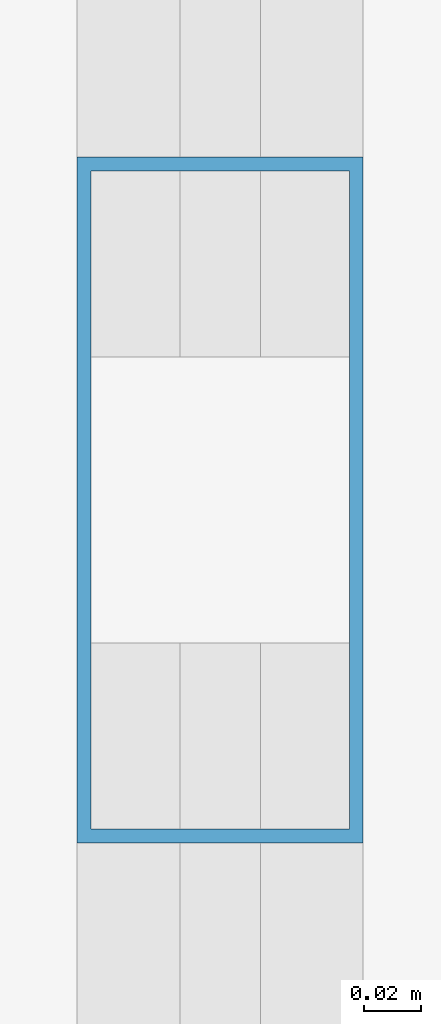
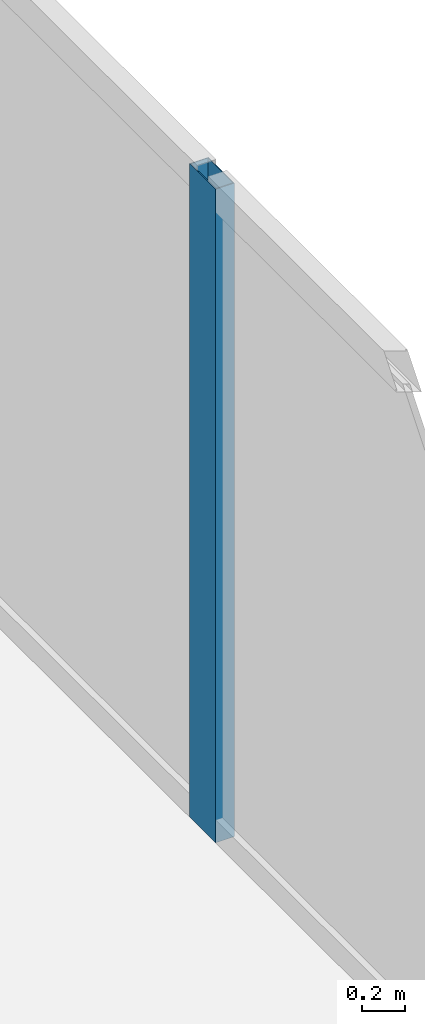
# One storey, part 9 of 26: 1 member, 1 element without a shape of its own.
"""IFC4 building model written with IfcOpenShell, lengths in metres."""

from ifc_helpers import new_model, si_unit, direction, frame, origin, origin_2d, place, context, subcontext, project, spatial, hollow_rectangle, extrude, material, layer, layer_set, material_profile, profile_set, type_object, element, aggregate, save


model = new_model("IFC4")

# Units and contexts
model_context = context("Model", 3, precision=1e-05, world=origin(), true_north=direction((0.0, 1.0)))
body_context = subcontext(model_context, "Body", "Model", "MODEL_VIEW")
ifc_project = project(units=[si_unit("LENGTHUNIT", "METRE"), si_unit("AREAUNIT", "SQUARE_METRE"), si_unit("VOLUMEUNIT", "CUBIC_METRE"), si_unit("PLANEANGLEUNIT", "RADIAN"), si_unit("MASSUNIT", "GRAM", prefix="KILO")], contexts=[model_context])

# Site, building, storey
site_placement = place(None, origin())
site = spatial("IfcSite", under=ifc_project, at=site_placement, CompositionType="ELEMENT")
building_placement = place(site_placement, origin())
building = spatial("IfcBuilding", under=site, at=building_placement, Name="Khorvyn Point Tower", CompositionType="ELEMENT")
storey_placement = place(building_placement, frame((0.0, 0.0, 183.60009765625)))
storey = spatial("IfcBuildingStorey", under=building, at=storey_placement, Name="L45", CompositionType="ELEMENT", Elevation=183.60009765625)

# Curtain wall, member
ifc_material_1 = material(Name="Anodised aluminium 6063-T6 and laminated Low-E glass", Category="aluminium")
ifc_layer = layer(ifc_material_1, 0.18994140625)
ifc_layer_set = layer_set([ifc_layer], Name="Stick-Built Acoustic Curtain Wall CW-SYS-03")
curtain_wall_type = type_object("IfcCurtainWallType", Name="Stick-Built Acoustic Curtain Wall CW-SYS-03", PredefinedType="NOTDEFINED", material=ifc_layer_set)
curtain_wall_placement = place(storey_placement, origin())
curtain_wall = element("IfcCurtainWall", 1, at=curtain_wall_placement, inside=storey, type_object=curtain_wall_type, Name="Curtain Wall", PredefinedType="NOTDEFINED")
ifc_material_2 = material(Name="Anodised aluminium 6063-T6", Category="aluminium")
ifc_material_profile = material_profile(ifc_material_2, hollow_rectangle(XDim=0.10009765625, YDim=0.239990234375, WallThickness=0.0048828125, at=origin_2d()))
ifc_profile_set = profile_set([ifc_material_profile], Name="Anodised aluminium 6063-T6 ALU-MUL-100x240")
member_type = type_object("IfcMemberType", Name="Anodised Aluminium 6063-T6 Mullion ALU-MUL-100x240", PredefinedType="MULLION", material=ifc_profile_set)
member_placement = place(storey_placement, frame((21.75, 0.0, 0.0), z_axis=(0.0, 0.0, 1.0), x_axis=(1.0, 0.0, 0.0)))
member = element("IfcMember", 2, at=member_placement, type_object=member_type, Name="Transom", PredefinedType="MULLION", context=body_context, shape_type="SweptSolid", body=[
    extrude(hollow_rectangle(XDim=0.10009765625, YDim=0.239990234375, WallThickness=0.0048828125, at=origin_2d()), origin(), (0.0, 0.0, 1.0), 3.679931640625),
])
aggregate(curtain_wall, [member])

save(model, "model.ifc")
